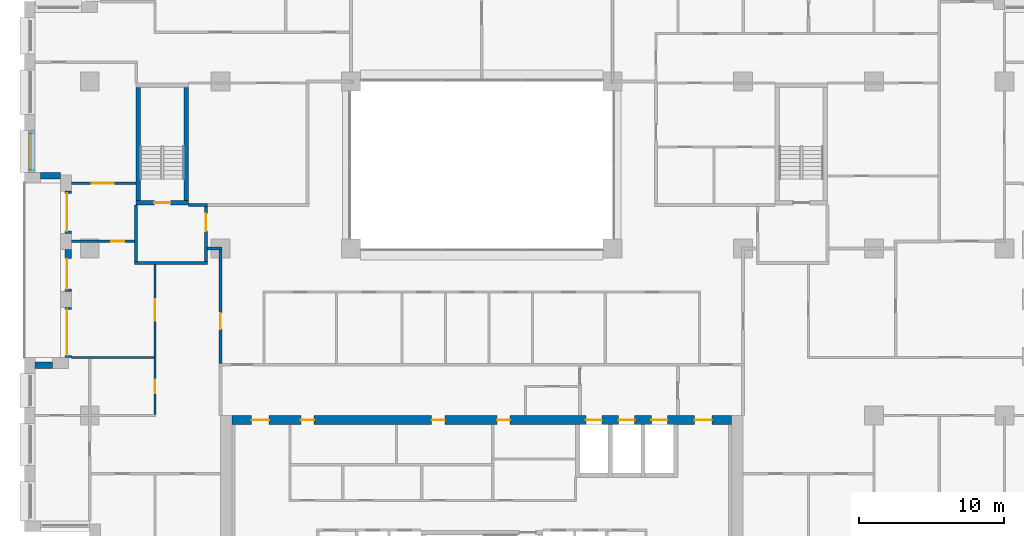
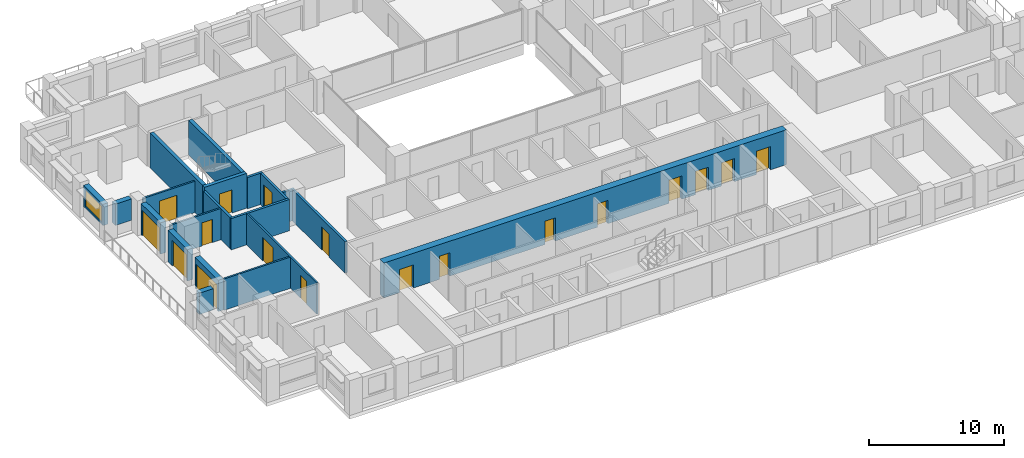
# One storey, part 9 of 16: 20 walls, 18 doors, 1 window, 19 openings.
"""IFC4 building model written with IfcOpenShell, lengths in metres."""

from ifc_helpers import new_model, si_unit, direction, frame, frame_2d, origin, place, context, subcontext, project, spatial, rectangle, extrude, material, layer, layer_set, type_object, element, fill, save


model = new_model("IFC4")

# Units and contexts
model_context = context("Model", 3, precision=1e-05, world=origin(), true_north=direction((0.0, 1.0)))
body_context = subcontext(model_context, "Body", "Model", "MODEL_VIEW")
ifc_project = project(units=[si_unit("LENGTHUNIT", "METRE"), si_unit("AREAUNIT", "SQUARE_METRE"), si_unit("VOLUMEUNIT", "CUBIC_METRE"), si_unit("PLANEANGLEUNIT", "RADIAN"), si_unit("MASSUNIT", "GRAM", prefix="KILO")], contexts=[model_context])

# Site, building, storey
site_placement = place(None, origin())
site = spatial("IfcSite", under=ifc_project, at=site_placement, CompositionType="ELEMENT")
building_placement = place(site_placement, origin())
building = spatial("IfcBuilding", under=site, at=building_placement, Name="Brigalow Station Residences", CompositionType="ELEMENT")
storey_placement = place(building_placement, frame((0.0, 0.0, 108.75)))
storey = spatial("IfcBuildingStorey", under=building, at=storey_placement, Name="L31", CompositionType="ELEMENT", Elevation=108.75)

# Wall, opening, window
ifc_material_1 = material(Name="Clay brick masonry", Category="masonry")
ifc_layer_1 = layer(ifc_material_1, 0.449951171875)
ifc_layer_set_1 = layer_set([ifc_layer_1], Name="BRICK INFILL WALL 450")
wall_type_1 = type_object("IfcWallType", Name="BRICK INFILL WALL 450", PredefinedType="SOLIDWALL", material=ifc_layer_set_1)
wall_1_placement = place(storey_placement, frame((5.02490234375, 32.116943359375, 0.89990234375), z_axis=(0.0, 0.0, 1.0), x_axis=(0.0, -1.0, 0.0)))
wall_1 = element("IfcWall", 1, at=wall_1_placement, inside=storey, type_object=wall_type_1, Name="L31/ewall/W-L31-41", PredefinedType="SOLIDWALL", context=body_context, shape_type="SweptSolid", body=[
    extrude(rectangle(XDim=2.866943359375, YDim=0.449951171875, at=frame_2d((1.43359375, 0.0))), origin(), (0.0, 0.0, 1.0), 1.93017578125),
])
opening_1_placement = place(wall_1_placement, frame((0.18359375, 0.0, 0.14990234375)))
opening_1 = element("IfcOpeningElement", 2, at=opening_1_placement, cuts=wall_1, Name="Opening WT-5", PredefinedType="OPENING", context=body_context, shape_type="SweptSolid", body=[
    extrude(rectangle(XDim=2.5, YDim=1.5, at=frame_2d((1.25, 0.75))), frame((0.0, 0.23486328125, 0.0), z_axis=(0.0, -1.0, 0.0), x_axis=(1.0, 0.0, 0.0)), (0.0, 0.0, 1.0), 0.469970703125),
])
ifc_material_2 = material(Name="Anodised aluminium frame with double glazing", Category="aluminium")
window_type = type_object("IfcWindowType", Name="WINDOW 2500x1500", PartitioningType="SINGLE_PANEL", PredefinedType="WINDOW", material=ifc_material_2)
window_placement = place(opening_1_placement, origin())
window = element("IfcWindow", 3, at=window_placement, inside=storey, type_object=window_type, Name="L31/window/W-L31-41", OverallHeight=1.5, OverallWidth=2.5, PartitioningType="SINGLE_PANEL", PredefinedType="WINDOW", context=body_context, shape_type="SweptSolid", body=[
    extrude(rectangle(XDim=2.5, YDim=1.5, at=frame_2d((1.25, 0.75))), frame((0.0, -0.06494140625, 0.0), z_axis=(0.0, -1.0, 0.0), x_axis=(1.0, 0.0, 0.0)), (0.0, 0.0, 1.0), 0.06005859375),
])
fill(opening_1, window)

# Wall
wall_2_placement = place(storey_placement, frame((5.60009765625, 29.02490234375, 0.89990234375), z_axis=(0.0, 0.0, 1.0), x_axis=(1.0, 0.0, 0.0)))
element("IfcWall", 4, at=wall_2_placement, inside=storey, type_object=wall_type_1, Name="L31/ewall/W-L31-42", PredefinedType="SOLIDWALL", context=body_context, shape_type="SweptSolid", body=[
    extrude(rectangle(XDim=1.39990234375, YDim=0.449951171875, at=frame_2d((0.699951171875, 0.0))), origin(), (0.0, 0.0, 1.0), 1.93017578125),
])

# Wall, opening, door
wall_3_placement = place(storey_placement, frame((7.52490234375, 27.949951171875, 0.0), z_axis=(0.0, 0.0, 1.0), x_axis=(0.0, -1.0, 0.0)))
wall_3 = element("IfcWall", 5, at=wall_3_placement, inside=storey, type_object=wall_type_1, Name="L31/ewall/W-L31-43", PredefinedType="SOLIDWALL", context=body_context, shape_type="SweptSolid", body=[
    extrude(rectangle(XDim=2.89990234375, YDim=0.449951171875, at=frame_2d((1.449951171875, 0.0))), origin(), (0.0, 0.0, 1.0), 2.830078125),
])
opening_2_placement = place(wall_3_placement, frame((0.14990234375, 0.0, 0.0)))
opening_2 = element("IfcOpeningElement", 6, at=opening_2_placement, cuts=wall_3, Name="Opening D-B2600", PredefinedType="OPENING", context=body_context, shape_type="SweptSolid", body=[
    extrude(rectangle(XDim=2.60009765625, YDim=2.300048828125, at=frame_2d((1.300048828125, 1.14990234375))), frame((0.0, 0.23486328125, 0.0), z_axis=(0.0, -1.0, 0.0), x_axis=(1.0, 0.0, 0.0)), (0.0, 0.0, 1.0), 0.469970703125),
])
ifc_material_3 = material(Name="Anodised aluminium frame with double glazing", Category="aluminium")
door_type_1 = type_object("IfcDoorType", Name="BALCONY SLIDING DOOR 2600x2300", OperationType="SLIDING_TO_LEFT", PredefinedType="DOOR", material=ifc_material_3)
door_1_placement = place(opening_2_placement, origin())
door_1 = element("IfcDoor", 7, at=door_1_placement, inside=storey, type_object=door_type_1, Name="L31/balcony-door/W-L31-43", OperationType="SLIDING_TO_LEFT", OverallHeight=2.300048828125, OverallWidth=2.60009765625, PredefinedType="DOOR", context=body_context, shape_type="SweptSolid", body=[
    extrude(rectangle(XDim=2.60009765625, YDim=2.300048828125, at=frame_2d((1.300048828125, 1.14990234375))), frame((0.0, -0.06982421875, 0.0), z_axis=(0.0, -1.0, 0.0), x_axis=(1.0, 0.0, 0.0)), (0.0, 0.0, 1.0), 0.050048828125),
])
fill(opening_2, door_1)

wall_4_placement = place(storey_placement, frame((7.52490234375, 23.949951171875, 0.0), z_axis=(0.0, 0.0, 1.0), x_axis=(0.0, -1.0, 0.0)))
wall_4 = element("IfcWall", 8, at=wall_4_placement, inside=storey, type_object=wall_type_1, Name="L31/ewall/W-L31-44", PredefinedType="SOLIDWALL", context=body_context, shape_type="SweptSolid", body=[
    extrude(rectangle(XDim=2.89990234375, YDim=0.449951171875, at=frame_2d((1.449951171875, 0.0))), origin(), (0.0, 0.0, 1.0), 2.830078125),
])
opening_3_placement = place(wall_4_placement, frame((0.635009765625, 0.0, 0.0)))
opening_3 = element("IfcOpeningElement", 9, at=opening_3_placement, cuts=wall_4, Name="Opening D-B2100", PredefinedType="OPENING", context=body_context, shape_type="SweptSolid", body=[
    extrude(rectangle(XDim=2.10009765625, YDim=2.300048828125, at=frame_2d((1.050048828125, 1.14990234375))), frame((0.0, 0.23486328125, 0.0), z_axis=(0.0, -1.0, 0.0), x_axis=(1.0, 0.0, 0.0)), (0.0, 0.0, 1.0), 0.469970703125),
])
ifc_material_4 = material(Name="Anodised aluminium frame with double glazing", Category="aluminium")
door_type_2 = type_object("IfcDoorType", Name="BALCONY SLIDING DOOR 2100x2300", OperationType="SLIDING_TO_LEFT", PredefinedType="DOOR", material=ifc_material_4)
door_2_placement = place(opening_3_placement, origin())
door_2 = element("IfcDoor", 10, at=door_2_placement, inside=storey, type_object=door_type_2, Name="L31/balcony-door/W-L31-44", OperationType="SLIDING_TO_LEFT", OverallHeight=2.300048828125, OverallWidth=2.10009765625, PredefinedType="DOOR", context=body_context, shape_type="SweptSolid", body=[
    extrude(rectangle(XDim=2.10009765625, YDim=2.300048828125, at=frame_2d((1.050048828125, 1.14990234375))), frame((0.0, -0.06982421875, 0.0), z_axis=(0.0, -1.0, 0.0), x_axis=(1.0, 0.0, 0.0)), (0.0, 0.0, 1.0), 0.050048828125),
])
fill(opening_3, door_2)

wall_5_placement = place(storey_placement, frame((7.52490234375, 19.949951171875, 0.0), z_axis=(0.0, 0.0, 1.0), x_axis=(0.0, -1.0, 0.0)))
wall_5 = element("IfcWall", 11, at=wall_5_placement, inside=storey, type_object=wall_type_1, Name="L31/ewall/W-L31-45", PredefinedType="SOLIDWALL", context=body_context, shape_type="SweptSolid", body=[
    extrude(rectangle(XDim=3.449951171875, YDim=0.449951171875, at=frame_2d((1.72509765625, 0.0))), origin(), (0.0, 0.0, 1.0), 2.830078125),
])
opening_4_placement = place(wall_5_placement, frame((0.14990234375, 0.0, 0.0)))
opening_4 = element("IfcOpeningElement", 12, at=opening_4_placement, cuts=wall_5, Name="Opening D-B3150", PredefinedType="OPENING", context=body_context, shape_type="SweptSolid", body=[
    extrude(rectangle(XDim=3.14990234375, YDim=2.300048828125, at=frame_2d((1.574951171875, 1.14990234375))), frame((0.0, 0.23486328125, 0.0), z_axis=(0.0, -1.0, 0.0), x_axis=(1.0, 0.0, 0.0)), (0.0, 0.0, 1.0), 0.469970703125),
])
ifc_material_5 = material(Name="Anodised aluminium frame with double glazing", Category="aluminium")
door_type_3 = type_object("IfcDoorType", Name="BALCONY SLIDING DOOR 3150x2300", OperationType="SLIDING_TO_LEFT", PredefinedType="DOOR", material=ifc_material_5)
door_3_placement = place(opening_4_placement, origin())
door_3 = element("IfcDoor", 13, at=door_3_placement, inside=storey, type_object=door_type_3, Name="L31/balcony-door/W-L31-45", OperationType="SLIDING_TO_LEFT", OverallHeight=2.300048828125, OverallWidth=3.14990234375, PredefinedType="DOOR", context=body_context, shape_type="SweptSolid", body=[
    extrude(rectangle(XDim=3.14990234375, YDim=2.300048828125, at=frame_2d((1.574951171875, 1.14990234375))), frame((0.0, -0.06982421875, 0.0), z_axis=(0.0, -1.0, 0.0), x_axis=(1.0, 0.0, 0.0)), (0.0, 0.0, 1.0), 0.050048828125),
])
fill(opening_4, door_3)

# Wall
wall_6_placement = place(storey_placement, frame((6.449951171875, 15.97509765625, 0.89990234375), z_axis=(0.0, 0.0, 1.0), x_axis=(-1.0, 0.0, 0.0)))
element("IfcWall", 14, at=wall_6_placement, inside=storey, type_object=wall_type_1, Name="L31/ewall/W-L31-46", PredefinedType="SOLIDWALL", context=body_context, shape_type="SweptSolid", body=[
    extrude(rectangle(XDim=1.199951171875, YDim=0.449951171875, at=frame_2d((0.60009765625, 0.0))), origin(), (0.0, 0.0, 1.0), 1.93017578125),
])

# Wall, opening, door
ifc_material_6 = material(Name="Concrete C65", Category="concrete")
ifc_layer_2 = layer(ifc_material_6, 0.300048828125)
ifc_layer_set_2 = layer_set([ifc_layer_2], Name="CORE SHEAR WALL 300 C65")
wall_type_2 = type_object("IfcWallType", Name="CORE SHEAR WALL 300 C65", PredefinedType="SHEAR", material=ifc_layer_set_2)
wall_7_placement = place(storey_placement, frame((12.199951171875, 27.14990234375, 0.0), z_axis=(0.0, 0.0, 1.0), x_axis=(1.0, 0.0, 0.0)))
wall_7 = element("IfcWall", 15, at=wall_7_placement, inside=storey, type_object=wall_type_2, Name="CORE WALL ST-S1-S L31", PredefinedType="SHEAR", context=body_context, shape_type="SweptSolid", body=[
    extrude(rectangle(XDim=3.60009765625, YDim=0.300048828125, at=frame_2d((1.800048828125, 0.0))), origin(), (0.0, 0.0, 1.0), 3.14990234375),
])
opening_5_placement = place(wall_7_placement, frame((1.25, 0.0, 0.0)))
opening_5 = element("IfcOpeningElement", 16, at=opening_5_placement, cuts=wall_7, Name="Opening D-5015", PredefinedType="OPENING", context=body_context, shape_type="SweptSolid", body=[
    extrude(rectangle(XDim=1.10009765625, YDim=2.10009765625, at=frame_2d((0.550048828125, 1.050048828125))), frame((0.0, 0.16015625, 0.0), z_axis=(0.0, -1.0, 0.0), x_axis=(1.0, 0.0, 0.0)), (0.0, 0.0, 1.0), 0.320068359375),
])
ifc_material_7 = material(Name="Steel fire door leaf in steel frame", Category="steel")
door_type_4 = type_object("IfcDoorType", Name="STAIR DOOR 1100 x 2100 FD60S", OperationType="SINGLE_SWING_LEFT", PredefinedType="DOOR", material=ifc_material_7)
door_4_placement = place(opening_5_placement, origin())
door_4 = element("IfcDoor", 17, at=door_4_placement, inside=storey, type_object=door_type_4, Name="D-5015", OperationType="SINGLE_SWING_LEFT", OverallHeight=2.10009765625, OverallWidth=1.10009765625, PredefinedType="DOOR", context=body_context, shape_type="SweptSolid", body=[
    extrude(rectangle(XDim=1.10009765625, YDim=2.10009765625, at=frame_2d((0.550048828125, 1.050048828125))), frame((0.0, 0.02490234375, 0.0), z_axis=(0.0, -1.0, 0.0), x_axis=(1.0, 0.0, 0.0)), (0.0, 0.0, 1.0), 0.050048828125),
])
fill(opening_5, door_4)

# Walls
for number, where, z_axis, x_axis, name in (
    (18, (12.35009765625, 27.300048828125, 0.0), (0.0, 0.0, 1.0), (0.0, 1.0, 0.0), "CORE WALL ST-S1-W L31"),
    (19, (15.64990234375, 27.300048828125, 0.0), (0.0, 0.0, 1.0), (0.0, 1.0, 0.0), "CORE WALL ST-S1-E L31"),
):
    element("IfcWall", number, at=place(storey_placement, frame(where, z_axis=z_axis, x_axis=x_axis)), inside=storey, type_object=wall_type_2, Name=name, PredefinedType="SHEAR", context=body_context, shape_type="SweptSolid", body=[
        extrude(rectangle(XDim=7.800048828125, YDim=0.300048828125, at=frame_2d((3.89990234375, 0.0))), origin(), (0.0, 0.0, 1.0), 3.14990234375),
    ])

# Wall, openings, doors
ifc_material_8 = material(Name="Concrete C65", Category="concrete")
ifc_layer_3 = layer(ifc_material_8, 0.60009765625)
ifc_layer_set_3 = layer_set([ifc_layer_3], Name="CORE SHEAR WALL 600 C65")
wall_type_3 = type_object("IfcWallType", Name="CORE SHEAR WALL 600 C65", PredefinedType="SHEAR", material=ifc_layer_set_3)
wall_8_placement = place(storey_placement, frame((18.800048828125, 12.199951171875, 0.0), z_axis=(0.0, 0.0, 1.0), x_axis=(1.0, 0.0, 0.0)))
wall_8 = element("IfcWall", 20, at=wall_8_placement, inside=storey, type_object=wall_type_3, Name="CORE WALL OUT-N L31", PredefinedType="SHEAR", context=body_context, shape_type="SweptSolid", body=[
    extrude(rectangle(XDim=34.39990234375, YDim=0.60009765625, at=frame_2d((17.199951171875, 0.0))), origin(), (0.0, 0.0, 1.0), 3.14990234375),
])
opening_6_placement = place(wall_8_placement, frame((24.375, 0.0, 0.0)))
opening_6 = element("IfcOpeningElement", 21, at=opening_6_placement, cuts=wall_8, Name="Opening LD-LF1", PredefinedType="OPENING", context=body_context, shape_type="SweptSolid", body=[
    extrude(rectangle(XDim=1.10009765625, YDim=2.10009765625, at=frame_2d((0.550048828125, 1.050048828125))), frame((0.0, 0.31005859375, 0.0), z_axis=(0.0, -1.0, 0.0), x_axis=(1.0, 0.0, 0.0)), (0.0, 0.0, 1.0), 0.6201171875),
])
opening_7_placement = place(wall_8_placement, frame((26.625, 0.0, 0.0)))
opening_7 = element("IfcOpeningElement", 22, at=opening_7_placement, cuts=wall_8, Name="Opening LD-LF2", PredefinedType="OPENING", context=body_context, shape_type="SweptSolid", body=[
    extrude(rectangle(XDim=1.10009765625, YDim=2.10009765625, at=frame_2d((0.550048828125, 1.050048828125))), frame((0.0, 0.31005859375, 0.0), z_axis=(0.0, -1.0, 0.0), x_axis=(1.0, 0.0, 0.0)), (0.0, 0.0, 1.0), 0.6201171875),
])
opening_8_placement = place(wall_8_placement, frame((28.875, 0.0, 0.0)))
opening_8 = element("IfcOpeningElement", 23, at=opening_8_placement, cuts=wall_8, Name="Opening LD-LG1", PredefinedType="OPENING", context=body_context, shape_type="SweptSolid", body=[
    extrude(rectangle(XDim=1.10009765625, YDim=2.10009765625, at=frame_2d((0.550048828125, 1.050048828125))), frame((0.0, 0.31005859375, 0.0), z_axis=(0.0, -1.0, 0.0), x_axis=(1.0, 0.0, 0.0)), (0.0, 0.0, 1.0), 0.6201171875),
])
opening_9_placement = place(wall_8_placement, frame((4.75, 0.0, 0.0)))
opening_9 = element("IfcOpeningElement", 24, at=opening_9_placement, cuts=wall_8, Name="Opening D-5118", PredefinedType="OPENING", context=body_context, shape_type="SweptSolid", body=[
    extrude(rectangle(XDim=0.89990234375, YDim=2.10009765625, at=frame_2d((0.449951171875, 1.050048828125))), frame((0.0, 0.31005859375, 0.0), z_axis=(0.0, -1.0, 0.0), x_axis=(1.0, 0.0, 0.0)), (0.0, 0.0, 1.0), 0.6201171875),
])
opening_10_placement = place(wall_8_placement, frame((13.75, 0.0, 0.0)))
opening_10 = element("IfcOpeningElement", 25, at=opening_10_placement, cuts=wall_8, Name="Opening D-5120", PredefinedType="OPENING", context=body_context, shape_type="SweptSolid", body=[
    extrude(rectangle(XDim=0.89990234375, YDim=2.10009765625, at=frame_2d((0.449951171875, 1.050048828125))), frame((0.0, 0.31005859375, 0.0), z_axis=(0.0, -1.0, 0.0), x_axis=(1.0, 0.0, 0.0)), (0.0, 0.0, 1.0), 0.6201171875),
])
opening_11_placement = place(wall_8_placement, frame((18.25, 0.0, 0.0)))
opening_11 = element("IfcOpeningElement", 26, at=opening_11_placement, cuts=wall_8, Name="Opening D-5119", PredefinedType="OPENING", context=body_context, shape_type="SweptSolid", body=[
    extrude(rectangle(XDim=0.89990234375, YDim=2.10009765625, at=frame_2d((0.449951171875, 1.050048828125))), frame((0.0, 0.31005859375, 0.0), z_axis=(0.0, -1.0, 0.0), x_axis=(1.0, 0.0, 0.0)), (0.0, 0.0, 1.0), 0.6201171875),
])
opening_12_placement = place(wall_8_placement, frame((1.35009765625, 0.0, 0.0)))
opening_12 = element("IfcOpeningElement", 27, at=opening_12_placement, cuts=wall_8, Name="Opening D-5011", PredefinedType="OPENING", context=body_context, shape_type="SweptSolid", body=[
    extrude(rectangle(XDim=1.199951171875, YDim=2.10009765625, at=frame_2d((0.60009765625, 1.050048828125))), frame((0.0, 0.31005859375, 0.0), z_axis=(0.0, -1.0, 0.0), x_axis=(1.0, 0.0, 0.0)), (0.0, 0.0, 1.0), 0.6201171875),
])
opening_13_placement = place(wall_8_placement, frame((31.85009765625, 0.0, 0.0)))
opening_13 = element("IfcOpeningElement", 28, at=opening_13_placement, cuts=wall_8, Name="Opening D-5012", PredefinedType="OPENING", context=body_context, shape_type="SweptSolid", body=[
    extrude(rectangle(XDim=1.199951171875, YDim=2.10009765625, at=frame_2d((0.60009765625, 1.050048828125))), frame((0.0, 0.31005859375, 0.0), z_axis=(0.0, -1.0, 0.0), x_axis=(1.0, 0.0, 0.0)), (0.0, 0.0, 1.0), 0.6201171875),
])
ifc_material_9 = material(Name="Steel fire door leaf in steel frame", Category="steel")
door_type_5 = type_object("IfcDoorType", Name="CORE CORRIDOR DOOR 1200 x 2100 FD60S", OperationType="SINGLE_SWING_LEFT", PredefinedType="DOOR", material=ifc_material_9)
door_5_placement = place(opening_12_placement, frame((1.199951171875, 0.0, 0.0), z_axis=(0.0, 0.0, 1.0), x_axis=(-1.0, 0.0, 0.0)))
door_5 = element("IfcDoor", 29, at=door_5_placement, inside=storey, type_object=door_type_5, Name="D-5011", OperationType="SINGLE_SWING_LEFT", OverallHeight=2.10009765625, OverallWidth=1.199951171875, PredefinedType="DOOR", context=body_context, shape_type="SweptSolid", body=[
    extrude(rectangle(XDim=1.199951171875, YDim=2.10009765625, at=frame_2d((0.60009765625, 1.050048828125))), frame((0.0, 0.02490234375, 0.0), z_axis=(0.0, -1.0, 0.0), x_axis=(1.0, 0.0, 0.0)), (0.0, 0.0, 1.0), 0.050048828125),
])
fill(opening_12, door_5)
door_6_placement = place(opening_13_placement, frame((1.199951171875, 0.0, 0.0), z_axis=(0.0, 0.0, 1.0), x_axis=(-1.0, 0.0, 0.0)))
door_6 = element("IfcDoor", 30, at=door_6_placement, inside=storey, type_object=door_type_5, Name="D-5012", OperationType="SINGLE_SWING_RIGHT", OverallHeight=2.10009765625, OverallWidth=1.199951171875, PredefinedType="DOOR", context=body_context, shape_type="SweptSolid", body=[
    extrude(rectangle(XDim=1.199951171875, YDim=2.10009765625, at=frame_2d((0.60009765625, 1.050048828125))), frame((0.0, 0.02490234375, 0.0), z_axis=(0.0, -1.0, 0.0), x_axis=(1.0, 0.0, 0.0)), (0.0, 0.0, 1.0), 0.050048828125),
])
fill(opening_13, door_6)
ifc_material_10 = material(Name="Stainless steel sliding door leaves", Category="steel")
door_type_6 = type_object("IfcDoorType", Name="LIFT LANDING DOOR 1100 x 2100", OperationType="DOUBLE_DOOR_SLIDING", PredefinedType="DOOR", material=ifc_material_10)
door_7_placement = place(opening_6_placement, origin())
door_7 = element("IfcDoor", 31, at=door_7_placement, inside=storey, type_object=door_type_6, Name="LANDING DOOR LF1", OperationType="DOUBLE_DOOR_SLIDING", OverallHeight=2.10009765625, OverallWidth=1.10009765625, PredefinedType="DOOR", context=body_context, shape_type="SweptSolid", body=[
    extrude(rectangle(XDim=1.10009765625, YDim=2.10009765625, at=frame_2d((0.550048828125, 1.050048828125))), frame((0.0, 0.02490234375, 0.0), z_axis=(0.0, -1.0, 0.0), x_axis=(1.0, 0.0, 0.0)), (0.0, 0.0, 1.0), 0.050048828125),
])
fill(opening_6, door_7)
door_8_placement = place(opening_7_placement, origin())
door_8 = element("IfcDoor", 32, at=door_8_placement, inside=storey, type_object=door_type_6, Name="LANDING DOOR LF2", OperationType="DOUBLE_DOOR_SLIDING", OverallHeight=2.10009765625, OverallWidth=1.10009765625, PredefinedType="DOOR", context=body_context, shape_type="SweptSolid", body=[
    extrude(rectangle(XDim=1.10009765625, YDim=2.10009765625, at=frame_2d((0.550048828125, 1.050048828125))), frame((0.0, 0.02490234375, 0.0), z_axis=(0.0, -1.0, 0.0), x_axis=(1.0, 0.0, 0.0)), (0.0, 0.0, 1.0), 0.050048828125),
])
fill(opening_7, door_8)
door_9_placement = place(opening_8_placement, origin())
door_9 = element("IfcDoor", 33, at=door_9_placement, inside=storey, type_object=door_type_6, Name="LANDING DOOR LG1", OperationType="DOUBLE_DOOR_SLIDING", OverallHeight=2.10009765625, OverallWidth=1.10009765625, PredefinedType="DOOR", context=body_context, shape_type="SweptSolid", body=[
    extrude(rectangle(XDim=1.10009765625, YDim=2.10009765625, at=frame_2d((0.550048828125, 1.050048828125))), frame((0.0, 0.02490234375, 0.0), z_axis=(0.0, -1.0, 0.0), x_axis=(1.0, 0.0, 0.0)), (0.0, 0.0, 1.0), 0.050048828125),
])
fill(opening_8, door_9)
ifc_material_11 = material(Name="Steel door leaf in steel frame", Category="steel")
door_type_7 = type_object("IfcDoorType", Name="SERVICE ROOM DOOR 900 x 2100 FD60", OperationType="SINGLE_SWING_LEFT", PredefinedType="DOOR", material=ifc_material_11)
door_10_placement = place(opening_9_placement, frame((0.89990234375, 0.0, 0.0), z_axis=(0.0, 0.0, 1.0), x_axis=(-1.0, 0.0, 0.0)))
door_10 = element("IfcDoor", 34, at=door_10_placement, inside=storey, type_object=door_type_7, Name="D-5118", OperationType="SINGLE_SWING_RIGHT", OverallHeight=2.10009765625, OverallWidth=0.89990234375, PredefinedType="DOOR", context=body_context, shape_type="SweptSolid", body=[
    extrude(rectangle(XDim=0.89990234375, YDim=2.10009765625, at=frame_2d((0.449951171875, 1.050048828125))), frame((0.0, 0.02490234375, 0.0), z_axis=(0.0, -1.0, 0.0), x_axis=(1.0, 0.0, 0.0)), (0.0, 0.0, 1.0), 0.050048828125),
])
fill(opening_9, door_10)
door_11_placement = place(opening_10_placement, frame((0.89990234375, 0.0, 0.0), z_axis=(0.0, 0.0, 1.0), x_axis=(-1.0, 0.0, 0.0)))
door_11 = element("IfcDoor", 35, at=door_11_placement, inside=storey, type_object=door_type_7, Name="D-5120", OperationType="SINGLE_SWING_RIGHT", OverallHeight=2.10009765625, OverallWidth=0.89990234375, PredefinedType="DOOR", context=body_context, shape_type="SweptSolid", body=[
    extrude(rectangle(XDim=0.89990234375, YDim=2.10009765625, at=frame_2d((0.449951171875, 1.050048828125))), frame((0.0, 0.02490234375, 0.0), z_axis=(0.0, -1.0, 0.0), x_axis=(1.0, 0.0, 0.0)), (0.0, 0.0, 1.0), 0.050048828125),
])
fill(opening_10, door_11)
door_12_placement = place(opening_11_placement, frame((0.89990234375, 0.0, 0.0), z_axis=(0.0, 0.0, 1.0), x_axis=(-1.0, 0.0, 0.0)))
door_12 = element("IfcDoor", 36, at=door_12_placement, inside=storey, type_object=door_type_7, Name="D-5119", OperationType="SINGLE_SWING_RIGHT", OverallHeight=2.10009765625, OverallWidth=0.89990234375, PredefinedType="DOOR", context=body_context, shape_type="SweptSolid", body=[
    extrude(rectangle(XDim=0.89990234375, YDim=2.10009765625, at=frame_2d((0.449951171875, 1.050048828125))), frame((0.0, 0.02490234375, 0.0), z_axis=(0.0, -1.0, 0.0), x_axis=(1.0, 0.0, 0.0)), (0.0, 0.0, 1.0), 0.050048828125),
])
fill(opening_11, door_12)

# Walls
ifc_material_12 = material(Name="Concrete blockwork", Category="masonry")
ifc_layer_4 = layer(ifc_material_12, 0.199951171875)
ifc_layer_set_4 = layer_set([ifc_layer_4], Name="FIRE RATED CORE PARTITION 200")
wall_type_4 = type_object("IfcWallType", Name="FIRE RATED CORE PARTITION 200", PredefinedType="PARTITIONING", material=ifc_layer_set_4)
wall_9_placement = place(storey_placement, frame((12.10009765625, 23.0, 0.0), z_axis=(0.0, 0.0, 1.0), x_axis=(1.0, 0.0, 0.0)))
element("IfcWall", 37, at=wall_9_placement, inside=storey, type_object=wall_type_4, Name="PW-5023", PredefinedType="PARTITIONING", context=body_context, shape_type="SweptSolid", body=[
    extrude(rectangle(XDim=5.0, YDim=0.199951171875, at=frame_2d((2.5, 0.0))), origin(), (0.0, 0.0, 1.0), 2.830078125),
])
wall_10_placement = place(storey_placement, frame((15.800048828125, 27.0, 0.0), z_axis=(0.0, 0.0, 1.0), x_axis=(1.0, 0.0, 0.0)))
element("IfcWall", 38, at=wall_10_placement, inside=storey, type_object=wall_type_4, Name="PW-5025", PredefinedType="PARTITIONING", context=body_context, shape_type="SweptSolid", body=[
    extrude(rectangle(XDim=1.300048828125, YDim=0.199951171875, at=frame_2d((0.64990234375, 0.0))), origin(), (0.0, 0.0, 1.0), 2.830078125),
])
wall_11_placement = place(storey_placement, frame((12.199951171875, 23.10009765625, 0.0), z_axis=(0.0, 0.0, 1.0), x_axis=(0.0, 1.0, 0.0)))
element("IfcWall", 39, at=wall_11_placement, inside=storey, type_object=wall_type_4, Name="PW-5034", PredefinedType="PARTITIONING", context=body_context, shape_type="SweptSolid", body=[
    extrude(rectangle(XDim=3.89990234375, YDim=0.199951171875, at=frame_2d((1.949951171875, 0.0))), origin(), (0.0, 0.0, 1.0), 2.830078125),
])

# Wall, opening, door
wall_12_placement = place(storey_placement, frame((17.0, 23.10009765625, 0.0), z_axis=(0.0, 0.0, 1.0), x_axis=(0.0, 1.0, 0.0)))
wall_12 = element("IfcWall", 40, at=wall_12_placement, inside=storey, type_object=wall_type_4, Name="PW-5035", PredefinedType="PARTITIONING", context=body_context, shape_type="SweptSolid", body=[
    extrude(rectangle(XDim=3.7998046875, YDim=0.199951171875, at=frame_2d((1.89990234375, 0.0))), origin(), (0.0, 0.0, 1.0), 2.830078125),
])
opening_14_placement = place(wall_12_placement, frame((2.10009765625, 0.0, 0.0)))
opening_14 = element("IfcOpeningElement", 41, at=opening_14_placement, cuts=wall_12, Name="Opening D-5016", PredefinedType="OPENING", context=body_context, shape_type="SweptSolid", body=[
    extrude(rectangle(XDim=1.199951171875, YDim=2.10009765625, at=frame_2d((0.60009765625, 1.050048828125))), frame((0.0, 0.10986328125, 0.0), z_axis=(0.0, -1.0, 0.0), x_axis=(1.0, 0.0, 0.0)), (0.0, 0.0, 1.0), 0.219970703125),
])
ifc_material_13 = material(Name="Steel fire door leaf in steel frame", Category="steel")
door_type_8 = type_object("IfcDoorType", Name="STAIR LOBBY DOOR 1200 x 2100 FD60S", OperationType="SINGLE_SWING_LEFT", PredefinedType="DOOR", material=ifc_material_13)
door_13_placement = place(opening_14_placement, origin())
door_13 = element("IfcDoor", 42, at=door_13_placement, inside=storey, type_object=door_type_8, Name="D-5016", OperationType="SINGLE_SWING_RIGHT", OverallHeight=2.10009765625, OverallWidth=1.199951171875, PredefinedType="DOOR", context=body_context, shape_type="SweptSolid", body=[
    extrude(rectangle(XDim=1.199951171875, YDim=2.10009765625, at=frame_2d((0.60009765625, 1.050048828125))), frame((0.0, 0.02490234375, 0.0), z_axis=(0.0, -1.0, 0.0), x_axis=(1.0, 0.0, 0.0)), (0.0, 0.0, 1.0), 0.050048828125),
])
fill(opening_14, door_13)

# Wall
ifc_material_14 = material(Name="Plasterboard on steel stud partition", Category="steel")
ifc_layer_5 = layer(ifc_material_14, 0.14990234375)
ifc_layer_set_5 = layer_set([ifc_layer_5], Name="FLAT PARTITION 150")
wall_type_5 = type_object("IfcWallType", Name="FLAT PARTITION 150", PredefinedType="PARTITIONING", material=ifc_layer_set_5)
wall_13_placement = place(storey_placement, frame((7.75, 16.5, 0.0), z_axis=(0.0, 0.0, 1.0), x_axis=(1.0, 0.0, 0.0)))
element("IfcWall", 43, at=wall_13_placement, inside=storey, type_object=wall_type_5, Name="PW-2C13", PredefinedType="PARTITIONING", context=body_context, shape_type="SweptSolid", body=[
    extrude(rectangle(XDim=5.675048828125, YDim=0.14990234375, at=frame_2d((2.83740234375, 0.0))), origin(), (0.0, 0.0, 1.0), 2.830078125),
])

# Wall, opening, door
wall_14_placement = place(storey_placement, frame((7.75, 24.5, 0.0), z_axis=(0.0, 0.0, 1.0), x_axis=(1.0, 0.0, 0.0)))
wall_14 = element("IfcWall", 44, at=wall_14_placement, inside=storey, type_object=wall_type_5, Name="PW-2C17", PredefinedType="PARTITIONING", context=body_context, shape_type="SweptSolid", body=[
    extrude(rectangle(XDim=4.35009765625, YDim=0.14990234375, at=frame_2d((2.175048828125, 0.0))), origin(), (0.0, 0.0, 1.0), 2.830078125),
])
opening_15_placement = place(wall_14_placement, frame((2.72509765625, 0.0, 0.0)))
opening_15 = element("IfcOpeningElement", 45, at=opening_15_placement, cuts=wall_14, Name="Opening D-2C10", PredefinedType="OPENING", context=body_context, shape_type="SweptSolid", body=[
    extrude(rectangle(XDim=0.89990234375, YDim=2.10009765625, at=frame_2d((0.449951171875, 1.050048828125))), frame((0.0, 0.0849609375, 0.0), z_axis=(0.0, -1.0, 0.0), x_axis=(1.0, 0.0, 0.0)), (0.0, 0.0, 1.0), 0.169921875),
])
ifc_material_15 = material(Name="Solid-core timber door leaf", Category="wood")
door_type_9 = type_object("IfcDoorType", Name="INTERNAL DOOR 900 x 2100", OperationType="SINGLE_SWING_LEFT", PredefinedType="DOOR", material=ifc_material_15)
door_14_placement = place(opening_15_placement, origin())
door_14 = element("IfcDoor", 46, at=door_14_placement, inside=storey, type_object=door_type_9, Name="D-2C10", OperationType="SINGLE_SWING_RIGHT", OverallHeight=2.10009765625, OverallWidth=0.89990234375, PredefinedType="DOOR", context=body_context, shape_type="SweptSolid", body=[
    extrude(rectangle(XDim=0.89990234375, YDim=2.10009765625, at=frame_2d((0.449951171875, 1.050048828125))), frame((0.0, 0.02490234375, 0.0), z_axis=(0.0, -1.0, 0.0), x_axis=(1.0, 0.0, 0.0)), (0.0, 0.0, 1.0), 0.050048828125),
])
fill(opening_15, door_14)

wall_15_placement = place(storey_placement, frame((7.75, 28.5, 0.0), z_axis=(0.0, 0.0, 1.0), x_axis=(1.0, 0.0, 0.0)))
wall_15 = element("IfcWall", 47, at=wall_15_placement, inside=storey, type_object=wall_type_5, Name="PW-2C20", PredefinedType="PARTITIONING", context=body_context, shape_type="SweptSolid", body=[
    extrude(rectangle(XDim=4.449951171875, YDim=0.14990234375, at=frame_2d((2.22509765625, 0.0))), origin(), (0.0, 0.0, 1.0), 2.830078125),
])
opening_16_placement = place(wall_15_placement, frame((1.39990234375, 0.0, 0.0)))
opening_16 = element("IfcOpeningElement", 48, at=opening_16_placement, cuts=wall_15, Name="Opening D-2C11", PredefinedType="OPENING", context=body_context, shape_type="SweptSolid", body=[
    extrude(rectangle(XDim=1.5, YDim=2.10009765625, at=frame_2d((0.75, 1.050048828125))), frame((0.0, 0.0849609375, 0.0), z_axis=(0.0, -1.0, 0.0), x_axis=(1.0, 0.0, 0.0)), (0.0, 0.0, 1.0), 0.169921875),
])
ifc_material_16 = material(Name="Solid-core timber door leaf", Category="wood")
door_type_10 = type_object("IfcDoorType", Name="INTERNAL DOUBLE DOOR 1500 x 2100", OperationType="DOUBLE_DOOR_SINGLE_SWING", PredefinedType="DOOR", material=ifc_material_16)
door_15_placement = place(opening_16_placement, frame((1.5, 0.0, 0.0), z_axis=(0.0, 0.0, 1.0), x_axis=(-1.0, 0.0, 0.0)))
door_15 = element("IfcDoor", 49, at=door_15_placement, inside=storey, type_object=door_type_10, Name="D-2C11", OperationType="DOUBLE_DOOR_SINGLE_SWING", OverallHeight=2.10009765625, OverallWidth=1.5, PredefinedType="DOOR", context=body_context, shape_type="SweptSolid", body=[
    extrude(rectangle(XDim=1.5, YDim=2.10009765625, at=frame_2d((0.75, 1.050048828125))), frame((0.0, 0.02490234375, 0.0), z_axis=(0.0, -1.0, 0.0), x_axis=(1.0, 0.0, 0.0)), (0.0, 0.0, 1.0), 0.050048828125),
])
fill(opening_16, door_15)

# Wall, openings, doors
wall_16_placement = place(storey_placement, frame((13.5, 12.574951171875, 0.0), z_axis=(0.0, 0.0, 1.0), x_axis=(0.0, 1.0, 0.0)))
wall_16 = element("IfcWall", 50, at=wall_16_placement, inside=storey, type_object=wall_type_5, Name="PW-2C47", PredefinedType="PARTITIONING", context=body_context, shape_type="SweptSolid", body=[
    extrude(rectangle(XDim=10.324951171875, YDim=0.14990234375, at=frame_2d((5.16259765625, 0.0))), origin(), (0.0, 0.0, 1.0), 2.830078125),
])
opening_17_placement = place(wall_16_placement, frame((1.47509765625, 0.0, 0.0)))
opening_17 = element("IfcOpeningElement", 51, at=opening_17_placement, cuts=wall_16, Name="Opening D-2C08", PredefinedType="OPENING", context=body_context, shape_type="SweptSolid", body=[
    extrude(rectangle(XDim=0.89990234375, YDim=2.10009765625, at=frame_2d((0.449951171875, 1.050048828125))), frame((0.0, 0.0849609375, 0.0), z_axis=(0.0, -1.0, 0.0), x_axis=(1.0, 0.0, 0.0)), (0.0, 0.0, 1.0), 0.169921875),
])
opening_18_placement = place(wall_16_placement, frame((6.449951171875, 0.0, 0.0)))
opening_18 = element("IfcOpeningElement", 52, at=opening_18_placement, cuts=wall_16, Name="Opening D-2C09", PredefinedType="OPENING", context=body_context, shape_type="SweptSolid", body=[
    extrude(rectangle(XDim=1.5, YDim=2.10009765625, at=frame_2d((0.75, 1.050048828125))), frame((0.0, 0.0849609375, 0.0), z_axis=(0.0, -1.0, 0.0), x_axis=(1.0, 0.0, 0.0)), (0.0, 0.0, 1.0), 0.169921875),
])
door_16_placement = place(opening_17_placement, origin())
door_16 = element("IfcDoor", 53, at=door_16_placement, inside=storey, type_object=door_type_9, Name="D-2C08", OperationType="SINGLE_SWING_RIGHT", OverallHeight=2.10009765625, OverallWidth=0.89990234375, PredefinedType="DOOR", context=body_context, shape_type="SweptSolid", body=[
    extrude(rectangle(XDim=0.89990234375, YDim=2.10009765625, at=frame_2d((0.449951171875, 1.050048828125))), frame((0.0, 0.02490234375, 0.0), z_axis=(0.0, -1.0, 0.0), x_axis=(1.0, 0.0, 0.0)), (0.0, 0.0, 1.0), 0.050048828125),
])
fill(opening_17, door_16)
door_17_placement = place(opening_18_placement, origin())
door_17 = element("IfcDoor", 54, at=door_17_placement, inside=storey, type_object=door_type_10, Name="D-2C09", OperationType="DOUBLE_DOOR_SINGLE_SWING", OverallHeight=2.10009765625, OverallWidth=1.5, PredefinedType="DOOR", context=body_context, shape_type="SweptSolid", body=[
    extrude(rectangle(XDim=1.5, YDim=2.10009765625, at=frame_2d((0.75, 1.050048828125))), frame((0.0, 0.02490234375, 0.0), z_axis=(0.0, -1.0, 0.0), x_axis=(1.0, 0.0, 0.0)), (0.0, 0.0, 1.0), 0.050048828125),
])
fill(opening_18, door_17)

# Wall
ifc_material_17 = material(Name="Plasterboard on steel stud partition", Category="steel")
ifc_layer_6 = layer(ifc_material_17, 0.199951171875)
ifc_layer_set_6 = layer_set([ifc_layer_6], Name="PARTY AND CORRIDOR WALL 200")
wall_type_6 = type_object("IfcWallType", Name="PARTY AND CORRIDOR WALL 200", PredefinedType="PARTITIONING", material=ifc_layer_set_6)
wall_17_placement = place(storey_placement, frame((17.10009765625, 24.0, 0.0), z_axis=(0.0, 0.0, 1.0), x_axis=(1.0, 0.0, 0.0)))
element("IfcWall", 55, at=wall_17_placement, inside=storey, type_object=wall_type_6, Name="PW-2C02", PredefinedType="PARTITIONING", context=body_context, shape_type="SweptSolid", body=[
    extrude(rectangle(XDim=1.0, YDim=0.199951171875, at=frame_2d((0.5, 0.0))), origin(), (0.0, 0.0, 1.0), 2.830078125),
])

# Wall, opening, door
wall_18_placement = place(storey_placement, frame((18.0, 16.10009765625, 0.0), z_axis=(0.0, 0.0, 1.0), x_axis=(0.0, 1.0, 0.0)))
wall_18 = element("IfcWall", 56, at=wall_18_placement, inside=storey, type_object=wall_type_6, Name="PW-2C36", PredefinedType="PARTITIONING", context=body_context, shape_type="SweptSolid", body=[
    extrude(rectangle(XDim=7.7998046875, YDim=0.199951171875, at=frame_2d((3.89990234375, 0.0))), origin(), (0.0, 0.0, 1.0), 2.830078125),
])
opening_19_placement = place(wall_18_placement, frame((2.35009765625, 0.0, 0.0)))
opening_19 = element("IfcOpeningElement", 57, at=opening_19_placement, cuts=wall_18, Name="Opening D-2C03", PredefinedType="OPENING", context=body_context, shape_type="SweptSolid", body=[
    extrude(rectangle(XDim=1.10009765625, YDim=2.10009765625, at=frame_2d((0.550048828125, 1.050048828125))), frame((0.0, 0.10986328125, 0.0), z_axis=(0.0, -1.0, 0.0), x_axis=(1.0, 0.0, 0.0)), (0.0, 0.0, 1.0), 0.219970703125),
])
ifc_material_18 = material(Name="Solid-core timber door leaf", Category="wood")
door_type_11 = type_object("IfcDoorType", Name="FLAT ENTRANCE DOOR 1100 x 2100 FRL -/60/30", OperationType="SINGLE_SWING_LEFT", PredefinedType="DOOR", material=ifc_material_18)
door_18_placement = place(opening_19_placement, origin())
door_18 = element("IfcDoor", 58, at=door_18_placement, inside=storey, type_object=door_type_11, Name="D-2C03", OperationType="SINGLE_SWING_RIGHT", OverallHeight=2.10009765625, OverallWidth=1.10009765625, PredefinedType="DOOR", context=body_context, shape_type="SweptSolid", body=[
    extrude(rectangle(XDim=1.10009765625, YDim=2.10009765625, at=frame_2d((0.550048828125, 1.050048828125))), frame((0.0, 0.02490234375, 0.0), z_axis=(0.0, -1.0, 0.0), x_axis=(1.0, 0.0, 0.0)), (0.0, 0.0, 1.0), 0.050048828125),
])
fill(opening_19, door_18)

save(model, "model.ifc")
